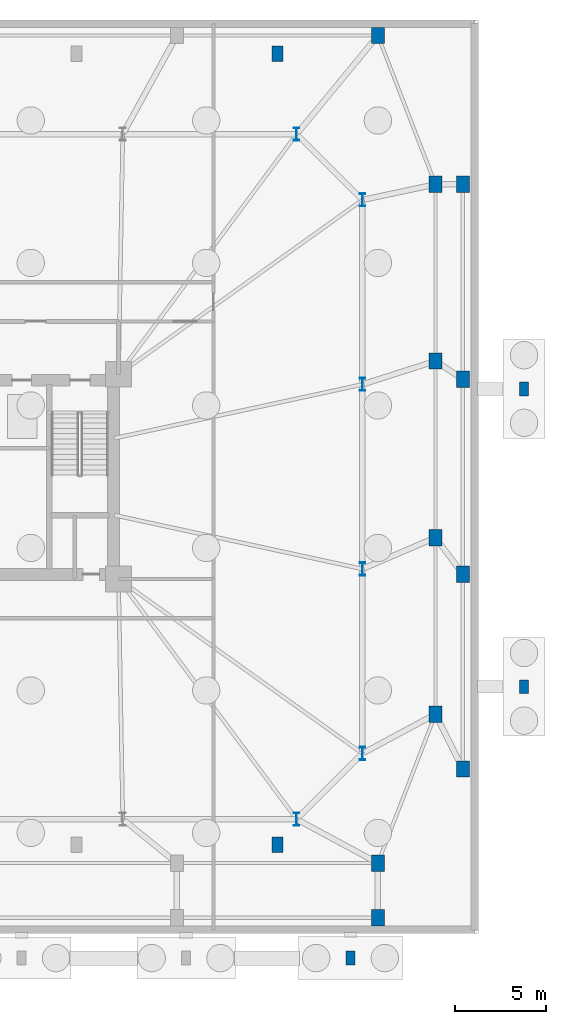
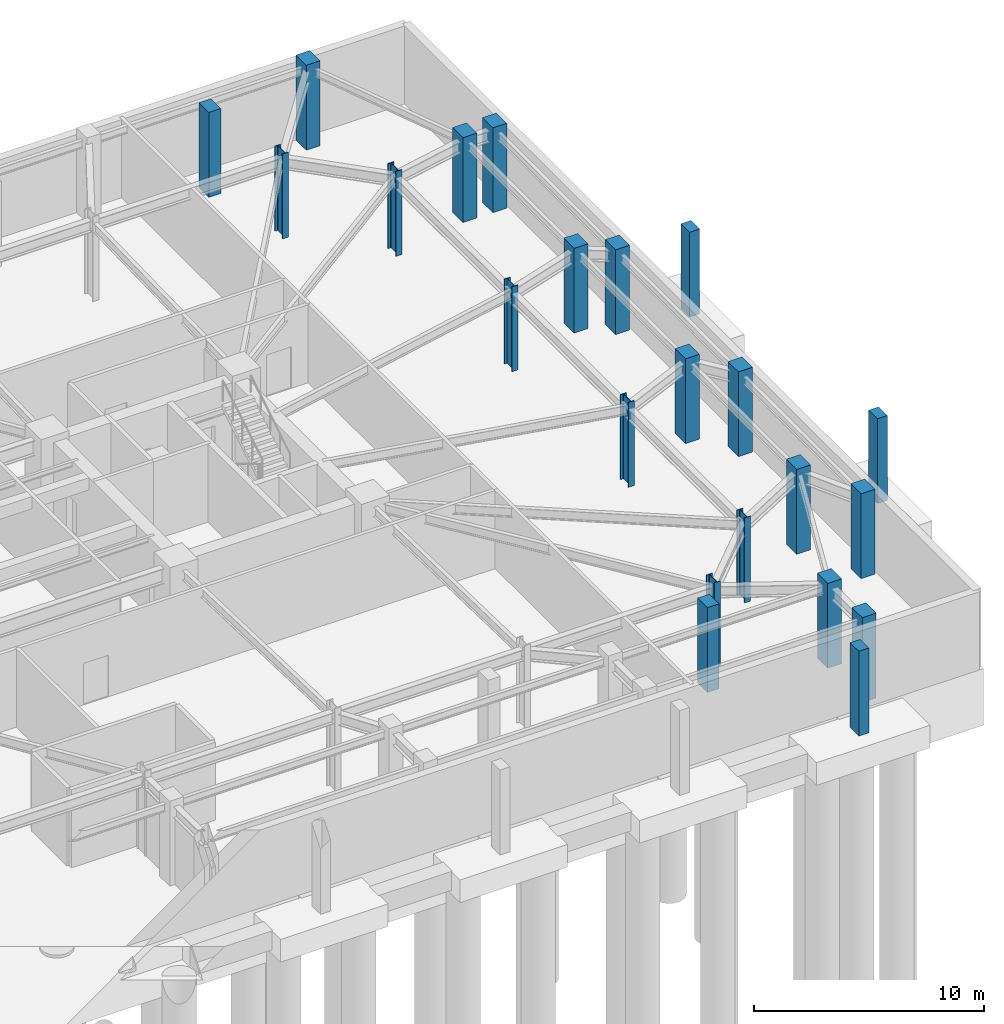
# One storey, part 5 of 15: 22 columns.
"""IFC4 building model written with IfcOpenShell, lengths in metres."""

from ifc_helpers import new_model, si_unit, direction, frame, origin, origin_2d, place, context, subcontext, project, spatial, rectangle, i_section, extrude, material, material_profile, profile_set, type_object, element, save


model = new_model("IFC4")

# Units and contexts
model_context = context("Model", 3, precision=1e-05, world=origin(), true_north=direction((0.0, 1.0)))
body_context = subcontext(model_context, "Body", "Model", "MODEL_VIEW")
ifc_project = project(units=[si_unit("LENGTHUNIT", "METRE"), si_unit("AREAUNIT", "SQUARE_METRE"), si_unit("VOLUMEUNIT", "CUBIC_METRE"), si_unit("PLANEANGLEUNIT", "RADIAN"), si_unit("MASSUNIT", "GRAM", prefix="KILO")], contexts=[model_context])

# Site, building, storey
site_placement = place(None, origin())
site = spatial("IfcSite", under=ifc_project, at=site_placement, CompositionType="ELEMENT")
building_placement = place(site_placement, origin())
building = spatial("IfcBuilding", under=site, at=building_placement, Name="Qobustan Lattice House", CompositionType="ELEMENT")
storey_placement = place(building_placement, frame((0.0, 0.0, -9.0)))
storey = spatial("IfcBuildingStorey", under=building, at=storey_placement, Name="B02", CompositionType="ELEMENT", Elevation=-9.0)

# Columns
ifc_material_1 = material(Name="Concrete C50/60", Category="concrete")
ifc_material_profile_1 = material_profile(ifc_material_1, rectangle(XDim=0.5, YDim=0.75, at=origin_2d()), Name="RC500x750")
ifc_profile_set_1 = profile_set([ifc_material_profile_1], Name="Concrete C50/60")
column_type_1 = type_object("IfcColumnType", Name="COL-PIER-500x750", PredefinedType="USERDEFINED", material=ifc_profile_set_1)
for number, where, z_axis, x_axis, name in (
    (1, (41.0, -11.5, 0.0), (0.0, 0.0, 1.0), (1.0, 0.0, 0.0), "B02 arrival portico pier E1"),
    (2, (41.0, 4.800048828125, 0.0), (0.0, 0.0, 1.0), (1.0, 0.0, 0.0), "B02 arrival portico pier E2"),
    (3, (31.5, -26.35009765625, 0.0), (0.0, 0.0, 1.0), (1.0, 0.0, 0.0), "B02 entrance canopy pier PR-08"),
):
    element("IfcColumn", number, at=place(storey_placement, frame(where, z_axis=z_axis, x_axis=x_axis)), inside=storey, type_object=column_type_1, Name=name, ObjectType="PIER", PredefinedType="USERDEFINED", context=body_context, shape_type="SweptSolid", body=[
        extrude(rectangle(XDim=0.5, YDim=0.75, at=origin_2d()), origin(), (0.0, 0.0, 1.0), 4.5),
    ])
ifc_material_2 = material(Name="Concrete C50/60", Category="concrete")
ifc_material_profile_2 = material_profile(ifc_material_2, rectangle(XDim=0.60009765625, YDim=0.85009765625, at=origin_2d()), Name="RC600x850")
ifc_profile_set_2 = profile_set([ifc_material_profile_2], Name="Concrete C50/60")
column_type_2 = type_object("IfcColumnType", Name="COL-PIL-600x850", PredefinedType="PILASTER", material=ifc_profile_set_2)
for number, where, z_axis, x_axis, name in (
    (4, (27.5, -20.14990234375, 0.0), (0.0, 0.0, 1.0), (1.0, 0.0, 0.0), "B02 colonnade pilaster S4"),
    (5, (27.5, 23.14990234375, 0.0), (0.0, 0.0, 1.0), (1.0, 0.0, 0.0), "B02 colonnade pilaster N4"),
):
    element("IfcColumn", number, at=place(storey_placement, frame(where, z_axis=z_axis, x_axis=x_axis)), inside=storey, type_object=column_type_2, Name=name, PredefinedType="PILASTER", context=body_context, shape_type="SweptSolid", body=[
        extrude(rectangle(XDim=0.60009765625, YDim=0.85009765625, at=origin_2d()), origin(), (0.0, 0.0, 1.0), 4.5),
    ])
ifc_material_3 = material(Name="Concrete C50/60", Category="concrete")
ifc_material_profile_3 = material_profile(ifc_material_3, rectangle(XDim=0.699951171875, YDim=0.89990234375, at=origin_2d()), Name="RC700x900")
ifc_profile_set_3 = profile_set([ifc_material_profile_3], Name="Concrete C50/60")
column_type_3 = type_object("IfcColumnType", Name="COL-RC-700x900", PredefinedType="COLUMN", material=ifc_profile_set_3)
for number, where, z_axis, x_axis, name in (
    (6, (33.0, -21.14990234375, 0.0), (0.0, 0.0, 1.0), (1.0, 0.0, 0.0), "B02 podium column PS7"),
    (7, (33.0, 24.14990234375, 0.0), (0.0, 0.0, 1.0), (1.0, 0.0, 0.0), "B02 podium column PN7"),
    (8, (36.14990234375, -13.0, 0.0), (0.0, 0.0, 1.0), (1.0, 0.0, 0.0), "B02 podium column PE1"),
    (9, (36.14990234375, -3.333251953125, 0.0), (0.0, 0.0, 1.0), (1.0, 0.0, 0.0), "B02 podium column PE2"),
    (10, (36.14990234375, 6.33349609375, 0.0), (0.0, 0.0, 1.0), (1.0, 0.0, 0.0), "B02 podium column PE3"),
    (11, (36.14990234375, 16.0, 0.0), (0.0, 0.0, 1.0), (1.0, 0.0, 0.0), "B02 podium column PE4"),
    (12, (33.0, -24.14990234375, 0.0), (0.0, 0.0, 1.0), (1.0, 0.0, 0.0), "B02 lower podium perimeter column PSL7"),
    (13, (37.64990234375, -16.0, 0.0), (0.0, 0.0, 1.0), (1.0, 0.0, 0.0), "B02 lower podium perimeter column PEL1"),
    (14, (37.64990234375, -5.333251953125, 0.0), (0.0, 0.0, 1.0), (1.0, 0.0, 0.0), "B02 lower podium perimeter column PEL2"),
    (15, (37.64990234375, 5.33349609375, 0.0), (0.0, 0.0, 1.0), (1.0, 0.0, 0.0), "B02 lower podium perimeter column PEL3"),
    (16, (37.64990234375, 16.0, 0.0), (0.0, 0.0, 1.0), (1.0, 0.0, 0.0), "B02 lower podium perimeter column PEL4"),
):
    element("IfcColumn", number, at=place(storey_placement, frame(where, z_axis=z_axis, x_axis=x_axis)), inside=storey, type_object=column_type_3, Name=name, PredefinedType="COLUMN", context=body_context, shape_type="SweptSolid", body=[
        extrude(rectangle(XDim=0.699951171875, YDim=0.89990234375, at=origin_2d()), origin(), (0.0, 0.0, 1.0), 4.5),
    ])
ifc_material_4 = material(Name="Steel S460", Category="steel")
ifc_material_profile_4 = material_profile(ifc_material_4, i_section(OverallWidth=0.303955078125, OverallDepth=0.716064453125, WebThickness=0.02099609375, FlangeThickness=0.0400390625, FilletRadius=0.027099609375, at=origin_2d()), Name="HEM700")
ifc_profile_set_4 = profile_set([ifc_material_profile_4], Name="Steel S460")
column_type_4 = type_object("IfcColumnType", Name="COL-ST-HEM700", PredefinedType="COLUMN", material=ifc_profile_set_4)
for number, where, z_axis, x_axis, name in (
    (17, (28.550048828125, -18.75, 0.0), (0.0, 0.0, 1.0), (1.0, 0.0, 0.0), "B02 tower base column S7"),
    (18, (28.550048828125, 18.75, 0.0), (0.0, 0.0, 1.0), (1.0, 0.0, 0.0), "B02 tower base column N1"),
    (19, (32.14990234375, -15.14990234375, 0.0), (0.0, 0.0, 1.0), (1.0, 0.0, 0.0), "B02 tower base column E1"),
    (20, (32.14990234375, -5.050048828125, 0.0), (0.0, 0.0, 1.0), (1.0, 0.0, 0.0), "B02 tower base column E2"),
    (21, (32.14990234375, 5.050048828125, 0.0), (0.0, 0.0, 1.0), (1.0, 0.0, 0.0), "B02 tower base column E3"),
    (22, (32.14990234375, 15.14990234375, 0.0), (0.0, 0.0, 1.0), (1.0, 0.0, 0.0), "B02 tower base column E4"),
):
    element("IfcColumn", number, at=place(storey_placement, frame(where, z_axis=z_axis, x_axis=x_axis)), inside=storey, type_object=column_type_4, Name=name, PredefinedType="COLUMN", context=body_context, shape_type="SweptSolid", body=[
        extrude(i_section(OverallWidth=0.303955078125, OverallDepth=0.716064453125, WebThickness=0.02099609375, FlangeThickness=0.0400390625, FilletRadius=0.027099609375, at=origin_2d()), origin(), (0.0, 0.0, 1.0), 4.5),
    ])

save(model, "model.ifc")
